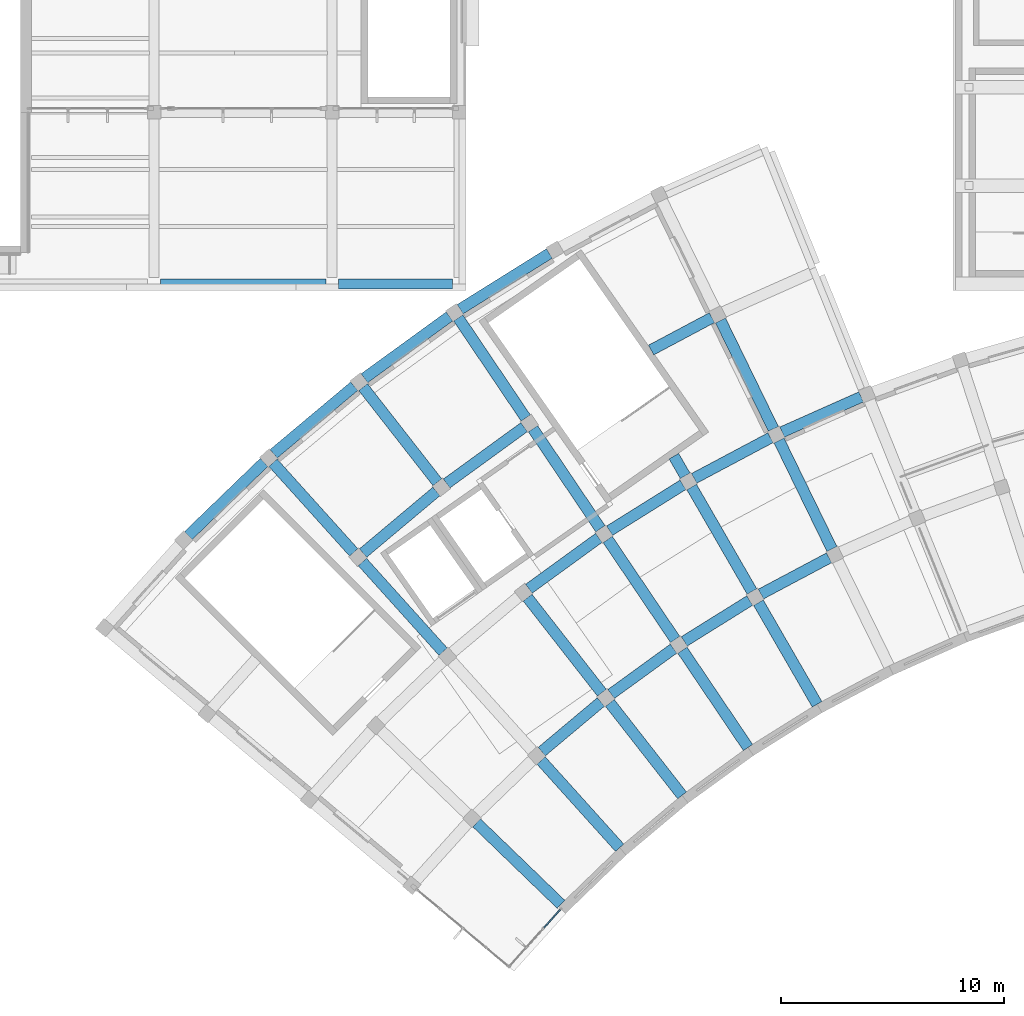
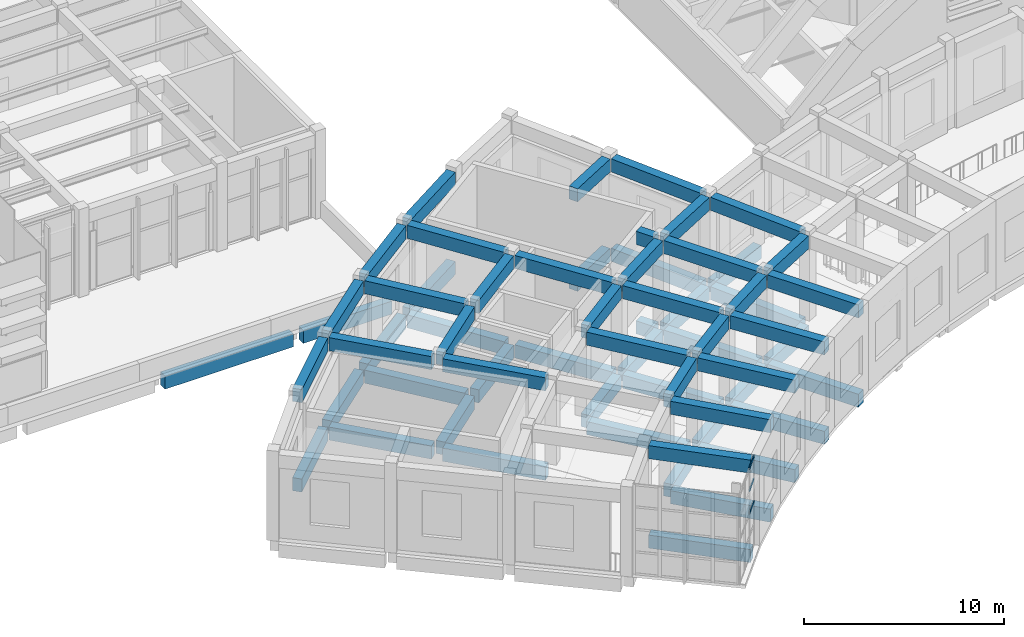
# One storey, part 3 of 94: 63 beams, 3 members, 1 element without a shape of its own.
"""IFC4 building model written with IfcOpenShell, lengths in metres."""

from ifc_helpers import new_model, si_unit, direction, frame, origin, origin_2d, place, context, subcontext, project, spatial, rectangle, extrude, material, layer, layer_set, material_profile, profile_set, type_object, element, aggregate, save


model = new_model("IFC4")

# Units and contexts
model_context = context("Model", 3, precision=1e-05, world=origin(), true_north=direction((0.0, 1.0)))
body_context = subcontext(model_context, "Body", "Model", "MODEL_VIEW")
ifc_project = project(units=[si_unit("LENGTHUNIT", "METRE"), si_unit("AREAUNIT", "SQUARE_METRE"), si_unit("VOLUMEUNIT", "CUBIC_METRE"), si_unit("PLANEANGLEUNIT", "RADIAN"), si_unit("MASSUNIT", "GRAM", prefix="KILO")], contexts=[model_context])

# Site, building, storey
site_placement = place(None, origin())
site = spatial("IfcSite", under=ifc_project, at=site_placement, CompositionType="ELEMENT")
building_placement = place(site_placement, origin())
building = spatial("IfcBuilding", under=site, at=building_placement, Name="Lunette Opera House", CompositionType="ELEMENT")
storey_placement = place(building_placement, frame((0.0, 0.0, 22.5)))
storey = spatial("IfcBuildingStorey", under=building, at=storey_placement, Name="L04", CompositionType="ELEMENT", Elevation=22.5)

# Beams
ifc_material_1 = material(Name="Concrete C35/45", Category="concrete")
ifc_material_profile_1 = material_profile(ifc_material_1, rectangle(XDim=0.449951171875, YDim=0.800048828125, at=origin_2d()), Name="RC BEAM 450X800")
ifc_profile_set_1 = profile_set([ifc_material_profile_1], Name="Concrete C35/45")
beam_type_1 = type_object("IfcBeamType", Name="RC BEAM 450X800", PredefinedType="BEAM", material=ifc_profile_set_1)
beam_1_placement = place(storey_placement, frame((40.2900390625, 64.300048828125, -0.64990234375), z_axis=(1.0, 0.0, 0.0), x_axis=(0.0, 1.0, 0.0)))
element("IfcBeam", 1, at=beam_1_placement, inside=storey, type_object=beam_type_1, Name="beam-RW-L04-L04-GX40", PredefinedType="BEAM", context=body_context, shape_type="SweptSolid", body=[
    extrude(rectangle(XDim=0.449951171875, YDim=0.800048828125, at=origin_2d()), origin(), (0.0, 0.0, 1.0), 7.419921875),
])
beam_2_placement = place(storey_placement, frame((48.2900390625, 64.300048828125, -0.64990234375), z_axis=(1.0, 0.0, 0.0), x_axis=(0.0, 1.0, 0.0)))
element("IfcBeam", 2, at=beam_2_placement, inside=storey, type_object=beam_type_1, Name="beam-RW-L04-L04-GX50", PredefinedType="BEAM", context=body_context, shape_type="SweptSolid", body=[
    extrude(rectangle(XDim=0.449951171875, YDim=0.800048828125, at=origin_2d()), origin(), (0.0, 0.0, 1.0), 5.119873046875),
])
ifc_material_2 = material(Name="Concrete C35/45", Category="concrete")
ifc_material_profile_2 = material_profile(ifc_material_2, rectangle(XDim=0.5, YDim=0.800048828125, at=origin_2d()), Name="RC BEAM 500X800")
ifc_profile_set_2 = profile_set([ifc_material_profile_2], Name="Concrete C35/45")
beam_type_2 = type_object("IfcBeamType", Name="RC BEAM 500X800", PredefinedType="BEAM", material=ifc_profile_set_2)
beam_3_placement = place(storey_placement, frame((58.278076171875, 36.427978515625, -0.6201171875), z_axis=(-0.719321635767, 0.694677179931, 0.0), x_axis=(-0.694677179931, -0.719321635767, 0.0)))
element("IfcBeam", 3, at=beam_3_placement, inside=storey, type_object=beam_type_2, Name="beam-FC-L04-L04-RB-RL-02-1", PredefinedType="BEAM", context=body_context, shape_type="SweptSolid", body=[
    extrude(rectangle(XDim=0.5, YDim=0.800048828125, at=origin_2d()), origin(), (0.0, 0.0, 1.0), 5.270263671875),
])
beam_4_placement = place(storey_placement, frame((60.910888671875, 38.970947265625, -0.6201171875), z_axis=(-0.669220634894, 0.743063753545, 0.0), x_axis=(-0.743063753545, -0.669220634894, 0.0)))
element("IfcBeam", 4, at=beam_4_placement, inside=storey, type_object=beam_type_2, Name="beam-FC-L04-L04-RB-RL-03-1", PredefinedType="BEAM", context=body_context, shape_type="SweptSolid", body=[
    extrude(rectangle(XDim=0.5, YDim=0.800048828125, at=origin_2d()), origin(), (0.0, 0.0, 1.0), 5.27001953125),
])
beam_5_placement = place(storey_placement, frame((52.98193359375, 47.777099609375, -0.6201171875), z_axis=(-0.66915881677, 0.743119423739, 0.0), x_axis=(-0.743119423739, -0.66915881677, 0.0)))
element("IfcBeam", 5, at=beam_5_placement, inside=storey, type_object=beam_type_2, Name="beam-FC-L04-L04-RB-RL-03-3", PredefinedType="BEAM", context=body_context, shape_type="SweptSolid", body=[
    extrude(rectangle(XDim=0.5, YDim=0.800048828125, at=origin_2d()), origin(), (0.0, 0.0, 1.0), 5.420166015625),
])
beam_6_placement = place(storey_placement, frame((48.967041015625, 52.236083984375, -0.6201171875), z_axis=(-0.669248417117, 0.743038731283, 0.0), x_axis=(-0.743038731283, -0.669248417117, 0.0)))
element("IfcBeam", 6, at=beam_6_placement, inside=storey, type_object=beam_type_2, Name="beam-FC-L04-L04-RB-RL-03-4", PredefinedType="BEAM", context=body_context, shape_type="SweptSolid", body=[
    extrude(rectangle(XDim=0.5, YDim=0.800048828125, at=origin_2d()), origin(), (0.0, 0.0, 1.0), 5.41943359375),
])
beam_7_placement = place(storey_placement, frame((63.715087890625, 41.322998046875, -0.6201171875), z_axis=(-0.615706064314, 0.787975914839, 0.0), x_axis=(-0.787975914839, -0.615706064314, 0.0)))
element("IfcBeam", 7, at=beam_7_placement, inside=storey, type_object=beam_type_2, Name="beam-FC-L04-L04-RB-RL-04-1", PredefinedType="BEAM", context=body_context, shape_type="SweptSolid", body=[
    extrude(rectangle(XDim=0.5, YDim=0.800048828125, at=origin_2d()), origin(), (0.0, 0.0, 1.0), 5.2705078125),
])
for number, where, z_axis, x_axis, name in (
    (8, (60.113037109375, 45.93310546875, -0.6201171875), (-0.615694738136, 0.78798476472, 0.0), (-0.78798476472, -0.615694738136, 0.0), "beam-FC-L04-L04-RB-RL-04-2"),
    (9, (52.72509765625, 55.388916015625, -0.6201171875), (-0.615694738136, 0.78798476472, 0.0), (-0.78798476472, -0.615694738136, 0.0), "beam-FC-L04-L04-RB-RL-04-4"),
):
    element("IfcBeam", number, at=place(storey_placement, frame(where, z_axis=z_axis, x_axis=x_axis)), inside=storey, type_object=beam_type_2, Name=name, PredefinedType="BEAM", context=body_context, shape_type="SweptSolid", body=[
        extrude(rectangle(XDim=0.5, YDim=0.800048828125, at=origin_2d()), origin(), (0.0, 0.0, 1.0), 5.420166015625),
    ])
beam_8_placement = place(storey_placement, frame((66.676025390625, 43.47509765625, -0.6201171875), z_axis=(-0.559214239494, 0.829023180826, 0.0), x_axis=(-0.829023180826, -0.559214239494, 0.0)))
element("IfcBeam", 10, at=beam_8_placement, inside=storey, type_object=beam_type_2, Name="beam-FC-L04-L04-RB-RL-05-1", PredefinedType="BEAM", context=body_context, shape_type="SweptSolid", body=[
    extrude(rectangle(XDim=0.5, YDim=0.800048828125, at=origin_2d()), origin(), (0.0, 0.0, 1.0), 5.27001953125),
])
beam_9_placement = place(storey_placement, frame((63.405029296875, 48.324951171875, -0.6201171875), z_axis=(-0.559234551388, 0.829009479158, 0.0), x_axis=(-0.829009479158, -0.559234551388, 0.0)))
element("IfcBeam", 11, at=beam_9_placement, inside=storey, type_object=beam_type_2, Name="beam-FC-L04-L04-RB-RL-05-2", PredefinedType="BEAM", context=body_context, shape_type="SweptSolid", body=[
    extrude(rectangle(XDim=0.5, YDim=0.800048828125, at=origin_2d()), origin(), (0.0, 0.0, 1.0), 5.419921875),
])
beam_10_placement = place(storey_placement, frame((60.049072265625, 53.299072265625, -0.6201171875), z_axis=(-0.559131586126, 0.829078928327, 0.0), x_axis=(-0.829078928327, -0.559131586126, 0.0)))
element("IfcBeam", 12, at=beam_10_placement, inside=storey, type_object=beam_type_2, Name="beam-FC-L04-L04-RB-RL-05-3", PredefinedType="BEAM", context=body_context, shape_type="SweptSolid", body=[
    extrude(rectangle(XDim=0.5, YDim=0.800048828125, at=origin_2d()), origin(), (0.0, 0.0, 1.0), 5.419189453125),
])
beam_11_placement = place(storey_placement, frame((56.694091796875, 58.27294921875, -0.6201171875), z_axis=(-0.559110702561, 0.82909301184, 0.0), x_axis=(-0.82909301184, -0.559110702561, 0.0)))
element("IfcBeam", 13, at=beam_11_placement, inside=storey, type_object=beam_type_2, Name="beam-FC-L04-L04-RB-RL-05-4", PredefinedType="BEAM", context=body_context, shape_type="SweptSolid", body=[
    extrude(rectangle(XDim=0.5, YDim=0.800048828125, at=origin_2d()), origin(), (0.0, 0.0, 1.0), 5.41943359375),
])
beam_12_placement = place(storey_placement, frame((69.780029296875, 45.4140625, -0.6201171875), z_axis=(-0.500000488781, 0.866025121586, 0.0), x_axis=(-0.866025121586, -0.500000488781, 0.0)))
element("IfcBeam", 14, at=beam_12_placement, inside=storey, type_object=beam_type_2, Name="beam-FC-L04-L04-RB-RL-06-1", PredefinedType="BEAM", context=body_context, shape_type="SweptSolid", body=[
    extrude(rectangle(XDim=0.5, YDim=0.800048828125, at=origin_2d()), origin(), (0.0, 0.0, 1.0), 5.27001953125),
])
beam_13_placement = place(storey_placement, frame((66.85498046875, 50.48095703125, -0.6201171875), z_axis=(-0.500053916174, 0.865994273029, 0.0), x_axis=(-0.865994273029, -0.500053916174, 0.0)))
element("IfcBeam", 15, at=beam_13_placement, inside=storey, type_object=beam_type_2, Name="beam-FC-L04-L04-RB-RL-06-2", PredefinedType="BEAM", context=body_context, shape_type="SweptSolid", body=[
    extrude(rectangle(XDim=0.5, YDim=0.800048828125, at=origin_2d()), origin(), (0.0, 0.0, 1.0), 5.41943359375),
])
beam_14_placement = place(storey_placement, frame((63.85498046875, 55.677001953125, -0.6201171875), z_axis=(-0.499826215357, 0.866125715149, 0.0), x_axis=(-0.866125715149, -0.499826215357, 0.0)))
element("IfcBeam", 16, at=beam_14_placement, inside=storey, type_object=beam_type_2, Name="beam-FC-L04-L04-RB-RL-06-3", PredefinedType="BEAM", context=body_context, shape_type="SweptSolid", body=[
    extrude(rectangle(XDim=0.5, YDim=0.800048828125, at=origin_2d()), origin(), (0.0, 0.0, 1.0), 1.018310546875),
])
beam_15_placement = place(storey_placement, frame((70.447021484375, 52.39111328125, -0.6201171875), z_axis=(-0.438416531546, 0.898771909256, 0.0), x_axis=(-0.898771909256, -0.438416531546, 0.0)))
element("IfcBeam", 17, at=beam_15_placement, inside=storey, type_object=beam_type_2, Name="beam-FC-L04-L04-RB-RL-07-2", PredefinedType="BEAM", context=body_context, shape_type="SweptSolid", body=[
    extrude(rectangle(XDim=0.5, YDim=0.800048828125, at=origin_2d()), origin(), (0.0, 0.0, 1.0), 5.41943359375),
])
beam_16_placement = place(storey_placement, frame((67.81689453125, 57.782958984375, -0.6201171875), z_axis=(-0.438327792699, 0.898815190207, 0.0), x_axis=(-0.898815190207, -0.438327792699, 0.0)))
element("IfcBeam", 18, at=beam_16_placement, inside=storey, type_object=beam_type_2, Name="beam-FC-L04-L04-RB-RL-07-3", PredefinedType="BEAM", context=body_context, shape_type="SweptSolid", body=[
    extrude(rectangle(XDim=0.5, YDim=0.800048828125, at=origin_2d()), origin(), (0.0, 0.0, 1.0), 5.420654296875),
])
beam_17_placement = place(storey_placement, frame((57.412109375, 43.2890625, -0.6201171875), z_axis=(0.76622731236, 0.642569611633, 0.0), x_axis=(-0.642569611633, 0.76622731236, 0.0)))
element("IfcBeam", 19, at=beam_17_placement, inside=storey, type_object=beam_type_2, Name="beam-FC-L04-L04-RG-AR-M1-RL-03", PredefinedType="BEAM", context=body_context, shape_type="SweptSolid", body=[
    extrude(rectangle(XDim=0.5, YDim=0.800048828125, at=origin_2d()), origin(), (0.0, 0.0, 1.0), 3.468994140625),
])
beam_18_placement = place(storey_placement, frame((60.527099609375, 45.8759765625, -0.6201171875), z_axis=(0.80912572479, 0.5876355686, 0.0), x_axis=(-0.5876355686, 0.80912572479, 0.0)))
element("IfcBeam", 20, at=beam_18_placement, inside=storey, type_object=beam_type_2, Name="beam-FC-L04-L04-RG-AR-M1-RL-04", PredefinedType="BEAM", context=body_context, shape_type="SweptSolid", body=[
    extrude(rectangle(XDim=0.5, YDim=0.800048828125, at=origin_2d()), origin(), (0.0, 0.0, 1.0), 3.466552734375),
])
beam_19_placement = place(storey_placement, frame((63.81298828125, 48.238037109375, -0.6201171875), z_axis=(0.848148581563, 0.52975842003, 0.0), x_axis=(-0.52975842003, 0.848148581563, 0.0)))
element("IfcBeam", 21, at=beam_19_placement, inside=storey, type_object=beam_type_2, Name="beam-FC-L04-L04-RG-AR-M1-RL-05", PredefinedType="BEAM", context=body_context, shape_type="SweptSolid", body=[
    extrude(rectangle(XDim=0.5, YDim=0.800048828125, at=origin_2d()), origin(), (0.0, 0.0, 1.0), 3.467529296875),
])
beam_20_placement = place(storey_placement, frame((67.256103515625, 50.364990234375, -0.6201171875), z_axis=(0.882851275799, 0.469652664019, 0.0), x_axis=(-0.469652664019, 0.882851275799, 0.0)))
element("IfcBeam", 22, at=beam_20_placement, inside=storey, type_object=beam_type_2, Name="beam-FC-L04-L04-RG-AR-M1-RL-06", PredefinedType="BEAM", context=body_context, shape_type="SweptSolid", body=[
    extrude(rectangle(XDim=0.5, YDim=0.800048828125, at=origin_2d()), origin(), (0.0, 0.0, 1.0), 3.46826171875),
])
beam_21_placement = place(storey_placement, frame((56.8330078125, 50.60400390625, -0.6201171875), z_axis=(0.809178751177, 0.587562548708, 0.0), x_axis=(-0.587562548708, 0.809178751177, 0.0)))
element("IfcBeam", 23, at=beam_21_placement, inside=storey, type_object=beam_type_2, Name="beam-FC-L04-L04-RG-AR-B-RL-04", PredefinedType="BEAM", context=body_context, shape_type="SweptSolid", body=[
    extrude(rectangle(XDim=0.5, YDim=0.800048828125, at=origin_2d()), origin(), (0.0, 0.0, 1.0), 3.885498046875),
])
beam_22_placement = place(storey_placement, frame((60.4580078125, 53.2119140625, -0.6201171875), z_axis=(0.847984188279, 0.530021524496, 0.0), x_axis=(-0.530021524496, 0.847984188279, 0.0)))
element("IfcBeam", 24, at=beam_22_placement, inside=storey, type_object=beam_type_2, Name="beam-FC-L04-L04-RG-AR-B-RL-05", PredefinedType="BEAM", context=body_context, shape_type="SweptSolid", body=[
    extrude(rectangle(XDim=0.5, YDim=0.800048828125, at=origin_2d()), origin(), (0.0, 0.0, 1.0), 3.88671875),
])
for number, where, z_axis, x_axis, name in (
    (25, (64.256103515625, 55.56201171875, -0.6201171875), (0.882927791084, 0.469508802614, 0.0), (-0.469508802614, 0.882927791084, 0.0), "beam-FC-L04-L04-RG-AR-B-RL-06"),
    (26, (68.208984375, 57.64111328125, -0.6201171875), (0.913565322769, 0.406692022339, 0.0), (-0.406692022339, 0.913565322769, 0.0), "beam-FC-L04-L04-RG-AR-B-RL-07"),
):
    element("IfcBeam", number, at=place(storey_placement, frame(where, z_axis=z_axis, x_axis=x_axis)), inside=storey, type_object=beam_type_2, Name=name, PredefinedType="BEAM", context=body_context, shape_type="SweptSolid", body=[
        extrude(rectangle(XDim=0.5, YDim=0.800048828125, at=origin_2d()), origin(), (0.0, 0.0, 1.0), 3.886962890625),
    ])
beam_23_placement = place(storey_placement, frame((49.383056640625, 52.20703125, -0.6201171875), z_axis=(0.766153717556, 0.642657358998, 0.0), x_axis=(-0.642657358998, 0.766153717556, 0.0)))
element("IfcBeam", 27, at=beam_23_placement, inside=storey, type_object=beam_type_2, Name="beam-FC-L04-L04-RG-AR-M2-RL-03", PredefinedType="BEAM", context=body_context, shape_type="SweptSolid", body=[
    extrude(rectangle(XDim=0.5, YDim=0.800048828125, at=origin_2d()), origin(), (0.0, 0.0, 1.0), 4.3056640625),
])
beam_24_placement = place(storey_placement, frame((53.138916015625, 55.33203125, -0.6201171875), z_axis=(0.809008257327, 0.587797277619, 0.0), x_axis=(-0.587797277619, 0.809008257327, 0.0)))
element("IfcBeam", 28, at=beam_24_placement, inside=storey, type_object=beam_type_2, Name="beam-FC-L04-L04-RG-AR-M2-RL-04", PredefinedType="BEAM", context=body_context, shape_type="SweptSolid", body=[
    extrude(rectangle(XDim=0.5, YDim=0.800048828125, at=origin_2d()), origin(), (0.0, 0.0, 1.0), 4.30419921875),
])
beam_25_placement = place(storey_placement, frame((62.324951171875, 61.325927734375, -0.6201171875), z_axis=(0.882832733664, 0.469687517794, 0.0), x_axis=(-0.469687517794, 0.882832733664, 0.0)))
element("IfcBeam", 29, at=beam_25_placement, inside=storey, type_object=beam_type_2, Name="beam-FC-L04-L04-RG-AR-M2-RL-06", PredefinedType="BEAM", context=body_context, shape_type="SweptSolid", body=[
    extrude(rectangle(XDim=0.5, YDim=0.800048828125, at=origin_2d()), origin(), (0.0, 0.0, 1.0), 3.095947265625),
])
beam_26_placement = place(storey_placement, frame((41.5390625, 52.99609375, -0.6201171875), z_axis=(0.719377413879, 0.694619418388, 0.0), x_axis=(-0.694619418388, 0.719377413879, 0.0)))
element("IfcBeam", 30, at=beam_26_placement, inside=storey, type_object=beam_type_2, Name="beam-FC-L04-L04-RG-AR-C-RL-02", PredefinedType="BEAM", context=body_context, shape_type="SweptSolid", body=[
    extrude(rectangle(XDim=0.5, YDim=0.800048828125, at=origin_2d()), origin(), (0.0, 0.0, 1.0), 4.723388671875),
])
beam_27_placement = place(storey_placement, frame((45.367919921875, 56.666015625, -0.6201171875), z_axis=(0.76622683329, 0.642570182895, 0.0), x_axis=(-0.642570182895, 0.76622683329, 0.0)))
element("IfcBeam", 31, at=beam_27_placement, inside=storey, type_object=beam_type_2, Name="beam-FC-L04-L04-RG-AR-C-RL-03", PredefinedType="BEAM", context=body_context, shape_type="SweptSolid", body=[
    extrude(rectangle(XDim=0.5, YDim=0.800048828125, at=origin_2d()), origin(), (0.0, 0.0, 1.0), 4.724609375),
])
beam_28_placement = place(storey_placement, frame((49.445068359375, 60.06005859375, -0.6201171875), z_axis=(0.809044453517, 0.587747456169, 0.0), x_axis=(-0.587747456169, 0.809044453517, 0.0)))
element("IfcBeam", 32, at=beam_28_placement, inside=storey, type_object=beam_type_2, Name="beam-FC-L04-L04-RG-AR-C-RL-04", PredefinedType="BEAM", context=body_context, shape_type="SweptSolid", body=[
    extrude(rectangle(XDim=0.5, YDim=0.800048828125, at=origin_2d()), origin(), (0.0, 0.0, 1.0), 4.722900390625),
])
beam_29_placement = place(storey_placement, frame((53.7470703125, 63.160888671875, -0.6201171875), z_axis=(0.848102800319, 0.529831709217, 0.0), x_axis=(-0.529831709217, 0.848102800319, 0.0)))
element("IfcBeam", 33, at=beam_29_placement, inside=storey, type_object=beam_type_2, Name="beam-FC-L04-L04-RG-AR-C-RL-05", PredefinedType="BEAM", context=body_context, shape_type="SweptSolid", body=[
    extrude(rectangle(XDim=0.5, YDim=0.800048828125, at=origin_2d()), origin(), (0.0, 0.0, 1.0), 4.724365234375),
])
beam_30_placement = place(storey_placement, frame((58.278076171875, 36.427978515625, 4.85009765625), z_axis=(-0.719321635767, 0.694677179931, 0.0), x_axis=(-0.694677179931, -0.719321635767, 0.0)))
element("IfcBeam", 34, at=beam_30_placement, inside=storey, type_object=beam_type_2, Name="beam-FC-L04-RF-RB-RL-02-1", PredefinedType="BEAM", context=body_context, shape_type="SweptSolid", body=[
    extrude(rectangle(XDim=0.5, YDim=0.800048828125, at=origin_2d()), origin(), (0.0, 0.0, 1.0), 5.270263671875),
])
beam_31_placement = place(storey_placement, frame((60.910888671875, 38.970947265625, 4.85009765625), z_axis=(-0.669220634894, 0.743063753545, 0.0), x_axis=(-0.743063753545, -0.669220634894, 0.0)))
element("IfcBeam", 35, at=beam_31_placement, inside=storey, type_object=beam_type_2, Name="beam-FC-L04-RF-RB-RL-03-1", PredefinedType="BEAM", context=body_context, shape_type="SweptSolid", body=[
    extrude(rectangle(XDim=0.5, YDim=0.800048828125, at=origin_2d()), origin(), (0.0, 0.0, 1.0), 5.27001953125),
])
beam_32_placement = place(storey_placement, frame((52.98193359375, 47.777099609375, 4.85009765625), z_axis=(-0.66915881677, 0.743119423739, 0.0), x_axis=(-0.743119423739, -0.66915881677, 0.0)))
element("IfcBeam", 36, at=beam_32_placement, inside=storey, type_object=beam_type_2, Name="beam-FC-L04-RF-RB-RL-03-3", PredefinedType="BEAM", context=body_context, shape_type="SweptSolid", body=[
    extrude(rectangle(XDim=0.5, YDim=0.800048828125, at=origin_2d()), origin(), (0.0, 0.0, 1.0), 5.420166015625),
])
beam_33_placement = place(storey_placement, frame((48.967041015625, 52.236083984375, 4.85009765625), z_axis=(-0.669248417117, 0.743038731283, 0.0), x_axis=(-0.743038731283, -0.669248417117, 0.0)))
element("IfcBeam", 37, at=beam_33_placement, inside=storey, type_object=beam_type_2, Name="beam-FC-L04-RF-RB-RL-03-4", PredefinedType="BEAM", context=body_context, shape_type="SweptSolid", body=[
    extrude(rectangle(XDim=0.5, YDim=0.800048828125, at=origin_2d()), origin(), (0.0, 0.0, 1.0), 5.41943359375),
])
beam_34_placement = place(storey_placement, frame((63.715087890625, 41.322998046875, 4.85009765625), z_axis=(-0.615706064314, 0.787975914839, 0.0), x_axis=(-0.787975914839, -0.615706064314, 0.0)))
element("IfcBeam", 38, at=beam_34_placement, inside=storey, type_object=beam_type_2, Name="beam-FC-L04-RF-RB-RL-04-1", PredefinedType="BEAM", context=body_context, shape_type="SweptSolid", body=[
    extrude(rectangle(XDim=0.5, YDim=0.800048828125, at=origin_2d()), origin(), (0.0, 0.0, 1.0), 5.2705078125),
])
for number, where, z_axis, x_axis, name in (
    (39, (60.113037109375, 45.93310546875, 4.85009765625), (-0.615694738136, 0.78798476472, 0.0), (-0.78798476472, -0.615694738136, 0.0), "beam-FC-L04-RF-RB-RL-04-2"),
    (40, (52.72509765625, 55.388916015625, 4.85009765625), (-0.615694738136, 0.78798476472, 0.0), (-0.78798476472, -0.615694738136, 0.0), "beam-FC-L04-RF-RB-RL-04-4"),
):
    element("IfcBeam", number, at=place(storey_placement, frame(where, z_axis=z_axis, x_axis=x_axis)), inside=storey, type_object=beam_type_2, Name=name, PredefinedType="BEAM", context=body_context, shape_type="SweptSolid", body=[
        extrude(rectangle(XDim=0.5, YDim=0.800048828125, at=origin_2d()), origin(), (0.0, 0.0, 1.0), 5.420166015625),
    ])
beam_35_placement = place(storey_placement, frame((66.676025390625, 43.47509765625, 4.85009765625), z_axis=(-0.559214239494, 0.829023180826, 0.0), x_axis=(-0.829023180826, -0.559214239494, 0.0)))
element("IfcBeam", 41, at=beam_35_placement, inside=storey, type_object=beam_type_2, Name="beam-FC-L04-RF-RB-RL-05-1", PredefinedType="BEAM", context=body_context, shape_type="SweptSolid", body=[
    extrude(rectangle(XDim=0.5, YDim=0.800048828125, at=origin_2d()), origin(), (0.0, 0.0, 1.0), 5.27001953125),
])
beam_36_placement = place(storey_placement, frame((63.405029296875, 48.324951171875, 4.85009765625), z_axis=(-0.559234551388, 0.829009479158, 0.0), x_axis=(-0.829009479158, -0.559234551388, 0.0)))
element("IfcBeam", 42, at=beam_36_placement, inside=storey, type_object=beam_type_2, Name="beam-FC-L04-RF-RB-RL-05-2", PredefinedType="BEAM", context=body_context, shape_type="SweptSolid", body=[
    extrude(rectangle(XDim=0.5, YDim=0.800048828125, at=origin_2d()), origin(), (0.0, 0.0, 1.0), 5.419921875),
])
beam_37_placement = place(storey_placement, frame((60.049072265625, 53.299072265625, 4.85009765625), z_axis=(-0.559131586126, 0.829078928327, 0.0), x_axis=(-0.829078928327, -0.559131586126, 0.0)))
element("IfcBeam", 43, at=beam_37_placement, inside=storey, type_object=beam_type_2, Name="beam-FC-L04-RF-RB-RL-05-3", PredefinedType="BEAM", context=body_context, shape_type="SweptSolid", body=[
    extrude(rectangle(XDim=0.5, YDim=0.800048828125, at=origin_2d()), origin(), (0.0, 0.0, 1.0), 5.419189453125),
])
beam_38_placement = place(storey_placement, frame((56.694091796875, 58.27294921875, 4.85009765625), z_axis=(-0.559110702561, 0.82909301184, 0.0), x_axis=(-0.82909301184, -0.559110702561, 0.0)))
element("IfcBeam", 44, at=beam_38_placement, inside=storey, type_object=beam_type_2, Name="beam-FC-L04-RF-RB-RL-05-4", PredefinedType="BEAM", context=body_context, shape_type="SweptSolid", body=[
    extrude(rectangle(XDim=0.5, YDim=0.800048828125, at=origin_2d()), origin(), (0.0, 0.0, 1.0), 5.41943359375),
])
beam_39_placement = place(storey_placement, frame((69.780029296875, 45.4140625, 4.85009765625), z_axis=(-0.500000488781, 0.866025121586, 0.0), x_axis=(-0.866025121586, -0.500000488781, 0.0)))
element("IfcBeam", 45, at=beam_39_placement, inside=storey, type_object=beam_type_2, Name="beam-FC-L04-RF-RB-RL-06-1", PredefinedType="BEAM", context=body_context, shape_type="SweptSolid", body=[
    extrude(rectangle(XDim=0.5, YDim=0.800048828125, at=origin_2d()), origin(), (0.0, 0.0, 1.0), 5.27001953125),
])
beam_40_placement = place(storey_placement, frame((66.85498046875, 50.48095703125, 4.85009765625), z_axis=(-0.500053916174, 0.865994273029, 0.0), x_axis=(-0.865994273029, -0.500053916174, 0.0)))
element("IfcBeam", 46, at=beam_40_placement, inside=storey, type_object=beam_type_2, Name="beam-FC-L04-RF-RB-RL-06-2", PredefinedType="BEAM", context=body_context, shape_type="SweptSolid", body=[
    extrude(rectangle(XDim=0.5, YDim=0.800048828125, at=origin_2d()), origin(), (0.0, 0.0, 1.0), 5.41943359375),
])
beam_41_placement = place(storey_placement, frame((63.85498046875, 55.677001953125, 4.85009765625), z_axis=(-0.499826215357, 0.866125715149, 0.0), x_axis=(-0.866125715149, -0.499826215357, 0.0)))
element("IfcBeam", 47, at=beam_41_placement, inside=storey, type_object=beam_type_2, Name="beam-FC-L04-RF-RB-RL-06-3", PredefinedType="BEAM", context=body_context, shape_type="SweptSolid", body=[
    extrude(rectangle(XDim=0.5, YDim=0.800048828125, at=origin_2d()), origin(), (0.0, 0.0, 1.0), 1.018310546875),
])
beam_42_placement = place(storey_placement, frame((70.447021484375, 52.39111328125, 4.85009765625), z_axis=(-0.438416531546, 0.898771909256, 0.0), x_axis=(-0.898771909256, -0.438416531546, 0.0)))
element("IfcBeam", 48, at=beam_42_placement, inside=storey, type_object=beam_type_2, Name="beam-FC-L04-RF-RB-RL-07-2", PredefinedType="BEAM", context=body_context, shape_type="SweptSolid", body=[
    extrude(rectangle(XDim=0.5, YDim=0.800048828125, at=origin_2d()), origin(), (0.0, 0.0, 1.0), 5.41943359375),
])
beam_43_placement = place(storey_placement, frame((67.81689453125, 57.782958984375, 4.85009765625), z_axis=(-0.438327792699, 0.898815190207, 0.0), x_axis=(-0.898815190207, -0.438327792699, 0.0)))
element("IfcBeam", 49, at=beam_43_placement, inside=storey, type_object=beam_type_2, Name="beam-FC-L04-RF-RB-RL-07-3", PredefinedType="BEAM", context=body_context, shape_type="SweptSolid", body=[
    extrude(rectangle(XDim=0.5, YDim=0.800048828125, at=origin_2d()), origin(), (0.0, 0.0, 1.0), 5.420654296875),
])
beam_44_placement = place(storey_placement, frame((57.412109375, 43.2890625, 4.85009765625), z_axis=(0.76622731236, 0.642569611633, 0.0), x_axis=(-0.642569611633, 0.76622731236, 0.0)))
element("IfcBeam", 50, at=beam_44_placement, inside=storey, type_object=beam_type_2, Name="beam-FC-L04-RF-RG-AR-M1-RL-03", PredefinedType="BEAM", context=body_context, shape_type="SweptSolid", body=[
    extrude(rectangle(XDim=0.5, YDim=0.800048828125, at=origin_2d()), origin(), (0.0, 0.0, 1.0), 3.468994140625),
])
beam_45_placement = place(storey_placement, frame((60.527099609375, 45.8759765625, 4.85009765625), z_axis=(0.80912572479, 0.5876355686, 0.0), x_axis=(-0.5876355686, 0.80912572479, 0.0)))
element("IfcBeam", 51, at=beam_45_placement, inside=storey, type_object=beam_type_2, Name="beam-FC-L04-RF-RG-AR-M1-RL-04", PredefinedType="BEAM", context=body_context, shape_type="SweptSolid", body=[
    extrude(rectangle(XDim=0.5, YDim=0.800048828125, at=origin_2d()), origin(), (0.0, 0.0, 1.0), 3.466552734375),
])
beam_46_placement = place(storey_placement, frame((63.81298828125, 48.238037109375, 4.85009765625), z_axis=(0.848148581563, 0.52975842003, 0.0), x_axis=(-0.52975842003, 0.848148581563, 0.0)))
element("IfcBeam", 52, at=beam_46_placement, inside=storey, type_object=beam_type_2, Name="beam-FC-L04-RF-RG-AR-M1-RL-05", PredefinedType="BEAM", context=body_context, shape_type="SweptSolid", body=[
    extrude(rectangle(XDim=0.5, YDim=0.800048828125, at=origin_2d()), origin(), (0.0, 0.0, 1.0), 3.467529296875),
])
beam_47_placement = place(storey_placement, frame((67.256103515625, 50.364990234375, 4.85009765625), z_axis=(0.882851275799, 0.469652664019, 0.0), x_axis=(-0.469652664019, 0.882851275799, 0.0)))
element("IfcBeam", 53, at=beam_47_placement, inside=storey, type_object=beam_type_2, Name="beam-FC-L04-RF-RG-AR-M1-RL-06", PredefinedType="BEAM", context=body_context, shape_type="SweptSolid", body=[
    extrude(rectangle(XDim=0.5, YDim=0.800048828125, at=origin_2d()), origin(), (0.0, 0.0, 1.0), 3.46826171875),
])
beam_48_placement = place(storey_placement, frame((56.8330078125, 50.60400390625, 4.85009765625), z_axis=(0.809178751177, 0.587562548708, 0.0), x_axis=(-0.587562548708, 0.809178751177, 0.0)))
element("IfcBeam", 54, at=beam_48_placement, inside=storey, type_object=beam_type_2, Name="beam-FC-L04-RF-RG-AR-B-RL-04", PredefinedType="BEAM", context=body_context, shape_type="SweptSolid", body=[
    extrude(rectangle(XDim=0.5, YDim=0.800048828125, at=origin_2d()), origin(), (0.0, 0.0, 1.0), 3.885498046875),
])
beam_49_placement = place(storey_placement, frame((60.4580078125, 53.2119140625, 4.85009765625), z_axis=(0.847984188279, 0.530021524496, 0.0), x_axis=(-0.530021524496, 0.847984188279, 0.0)))
element("IfcBeam", 55, at=beam_49_placement, inside=storey, type_object=beam_type_2, Name="beam-FC-L04-RF-RG-AR-B-RL-05", PredefinedType="BEAM", context=body_context, shape_type="SweptSolid", body=[
    extrude(rectangle(XDim=0.5, YDim=0.800048828125, at=origin_2d()), origin(), (0.0, 0.0, 1.0), 3.88671875),
])
beam_50_placement = place(storey_placement, frame((64.256103515625, 55.56201171875, 4.85009765625), z_axis=(0.882927791084, 0.469508802614, 0.0), x_axis=(-0.469508802614, 0.882927791084, 0.0)))
element("IfcBeam", 56, at=beam_50_placement, inside=storey, type_object=beam_type_2, Name="beam-FC-L04-RF-RG-AR-B-RL-06", PredefinedType="BEAM", context=body_context, shape_type="SweptSolid", body=[
    extrude(rectangle(XDim=0.5, YDim=0.800048828125, at=origin_2d()), origin(), (0.0, 0.0, 1.0), 3.886962890625),
])
beam_51_placement = place(storey_placement, frame((49.383056640625, 52.20703125, 4.85009765625), z_axis=(0.766153717556, 0.642657358998, 0.0), x_axis=(-0.642657358998, 0.766153717556, 0.0)))
element("IfcBeam", 57, at=beam_51_placement, inside=storey, type_object=beam_type_2, Name="beam-FC-L04-RF-RG-AR-M2-RL-03", PredefinedType="BEAM", context=body_context, shape_type="SweptSolid", body=[
    extrude(rectangle(XDim=0.5, YDim=0.800048828125, at=origin_2d()), origin(), (0.0, 0.0, 1.0), 4.3056640625),
])
beam_52_placement = place(storey_placement, frame((53.138916015625, 55.33203125, 4.85009765625), z_axis=(0.809008257327, 0.587797277619, 0.0), x_axis=(-0.587797277619, 0.809008257327, 0.0)))
element("IfcBeam", 58, at=beam_52_placement, inside=storey, type_object=beam_type_2, Name="beam-FC-L04-RF-RG-AR-M2-RL-04", PredefinedType="BEAM", context=body_context, shape_type="SweptSolid", body=[
    extrude(rectangle(XDim=0.5, YDim=0.800048828125, at=origin_2d()), origin(), (0.0, 0.0, 1.0), 4.30419921875),
])
beam_53_placement = place(storey_placement, frame((62.324951171875, 61.325927734375, 4.85009765625), z_axis=(0.882832733664, 0.469687517794, 0.0), x_axis=(-0.469687517794, 0.882832733664, 0.0)))
element("IfcBeam", 59, at=beam_53_placement, inside=storey, type_object=beam_type_2, Name="beam-FC-L04-RF-RG-AR-M2-RL-06", PredefinedType="BEAM", context=body_context, shape_type="SweptSolid", body=[
    extrude(rectangle(XDim=0.5, YDim=0.800048828125, at=origin_2d()), origin(), (0.0, 0.0, 1.0), 3.095947265625),
])
beam_54_placement = place(storey_placement, frame((41.5390625, 52.99609375, 4.85009765625), z_axis=(0.719377413879, 0.694619418388, 0.0), x_axis=(-0.694619418388, 0.719377413879, 0.0)))
element("IfcBeam", 60, at=beam_54_placement, inside=storey, type_object=beam_type_2, Name="beam-FC-L04-RF-RG-AR-C-RL-02", PredefinedType="BEAM", context=body_context, shape_type="SweptSolid", body=[
    extrude(rectangle(XDim=0.5, YDim=0.800048828125, at=origin_2d()), origin(), (0.0, 0.0, 1.0), 4.723388671875),
])
beam_55_placement = place(storey_placement, frame((45.367919921875, 56.666015625, 4.85009765625), z_axis=(0.76622683329, 0.642570182895, 0.0), x_axis=(-0.642570182895, 0.76622683329, 0.0)))
element("IfcBeam", 61, at=beam_55_placement, inside=storey, type_object=beam_type_2, Name="beam-FC-L04-RF-RG-AR-C-RL-03", PredefinedType="BEAM", context=body_context, shape_type="SweptSolid", body=[
    extrude(rectangle(XDim=0.5, YDim=0.800048828125, at=origin_2d()), origin(), (0.0, 0.0, 1.0), 4.724609375),
])
beam_56_placement = place(storey_placement, frame((49.445068359375, 60.06005859375, 4.85009765625), z_axis=(0.809044453517, 0.587747456169, 0.0), x_axis=(-0.587747456169, 0.809044453517, 0.0)))
element("IfcBeam", 62, at=beam_56_placement, inside=storey, type_object=beam_type_2, Name="beam-FC-L04-RF-RG-AR-C-RL-04", PredefinedType="BEAM", context=body_context, shape_type="SweptSolid", body=[
    extrude(rectangle(XDim=0.5, YDim=0.800048828125, at=origin_2d()), origin(), (0.0, 0.0, 1.0), 4.722900390625),
])
beam_57_placement = place(storey_placement, frame((53.7470703125, 63.160888671875, 4.85009765625), z_axis=(0.848102800319, 0.529831709217, 0.0), x_axis=(-0.529831709217, 0.848102800319, 0.0)))
element("IfcBeam", 63, at=beam_57_placement, inside=storey, type_object=beam_type_2, Name="beam-FC-L04-RF-RG-AR-C-RL-05", PredefinedType="BEAM", context=body_context, shape_type="SweptSolid", body=[
    extrude(rectangle(XDim=0.5, YDim=0.800048828125, at=origin_2d()), origin(), (0.0, 0.0, 1.0), 4.724365234375),
])

# Curtain wall, members
ifc_material_3 = material(Name="Aluminium", Category="aluminium")
ifc_layer = layer(ifc_material_3, 0.159912109375)
ifc_layer_set = layer_set([ifc_layer], Name="Aluminium")
curtain_wall_type = type_object("IfcCurtainWallType", Name="CORNER CURTAIN WALL", PredefinedType="NOTDEFINED", material=ifc_layer_set)
curtain_wall_placement = place(storey_placement, origin())
curtain_wall = element("IfcCurtainWall", 64, at=curtain_wall_placement, inside=storey, type_object=curtain_wall_type, Name="Corner Curtain Wall GC-W1 L04", PredefinedType="NOTDEFINED")
ifc_material_4 = material(Name="Aluminium", Category="aluminium")
ifc_material_profile_3 = material_profile(ifc_material_4, rectangle(XDim=0.06005859375, YDim=0.1201171875, at=origin_2d()), Name="TRANSOM 60 X 120")
ifc_profile_set_3 = profile_set([ifc_material_profile_3], Name="Aluminium")
member_type = type_object("IfcMemberType", Name="TRANSOM 60 X 120", PredefinedType="USERDEFINED", material=ifc_profile_set_3)
member_1_placement = place(storey_placement, frame((58.23388671875, 36.178466796875, 2.75), z_axis=(-0.667874323451, -0.744274067851, 0.0), x_axis=(0.744274067851, -0.667874323451, 0.0)))
member_1 = element("IfcMember", 65, at=member_1_placement, type_object=member_type, Name="FC-X2169 transom 1.3", ObjectType="TRANSOM", PredefinedType="USERDEFINED", context=body_context, shape_type="SweptSolid", body=[
    extrude(rectangle(XDim=0.06005859375, YDim=0.1201171875, at=origin_2d()), origin(), (0.0, 0.0, 1.0), 1.076904296875),
])
member_2_placement = place(storey_placement, frame((58.23388671875, 36.178466796875, 4.125), z_axis=(-0.667874323451, -0.744274067851, 0.0), x_axis=(0.744274067851, -0.667874323451, 0.0)))
member_2 = element("IfcMember", 66, at=member_2_placement, type_object=member_type, Name="FC-X2169 transom 1.4", ObjectType="TRANSOM", PredefinedType="USERDEFINED", context=body_context, shape_type="SweptSolid", body=[
    extrude(rectangle(XDim=0.06005859375, YDim=0.1201171875, at=origin_2d()), origin(), (0.0, 0.0, 1.0), 1.076904296875),
])
member_3_placement = place(storey_placement, frame((58.23388671875, 36.178466796875, 5.469970703125), z_axis=(-0.667874323451, -0.744274067851, 0.0), x_axis=(0.744274067851, -0.667874323451, 0.0)))
member_3 = element("IfcMember", 67, at=member_3_placement, type_object=member_type, Name="FC-X2169 transom 1.5", ObjectType="TRANSOM", PredefinedType="USERDEFINED", context=body_context, shape_type="SweptSolid", body=[
    extrude(rectangle(XDim=0.06005859375, YDim=0.1201171875, at=origin_2d()), origin(), (0.0, 0.0, 1.0), 1.076904296875),
])
aggregate(curtain_wall, [member_1, member_2, member_3])

save(model, "model.ifc")
